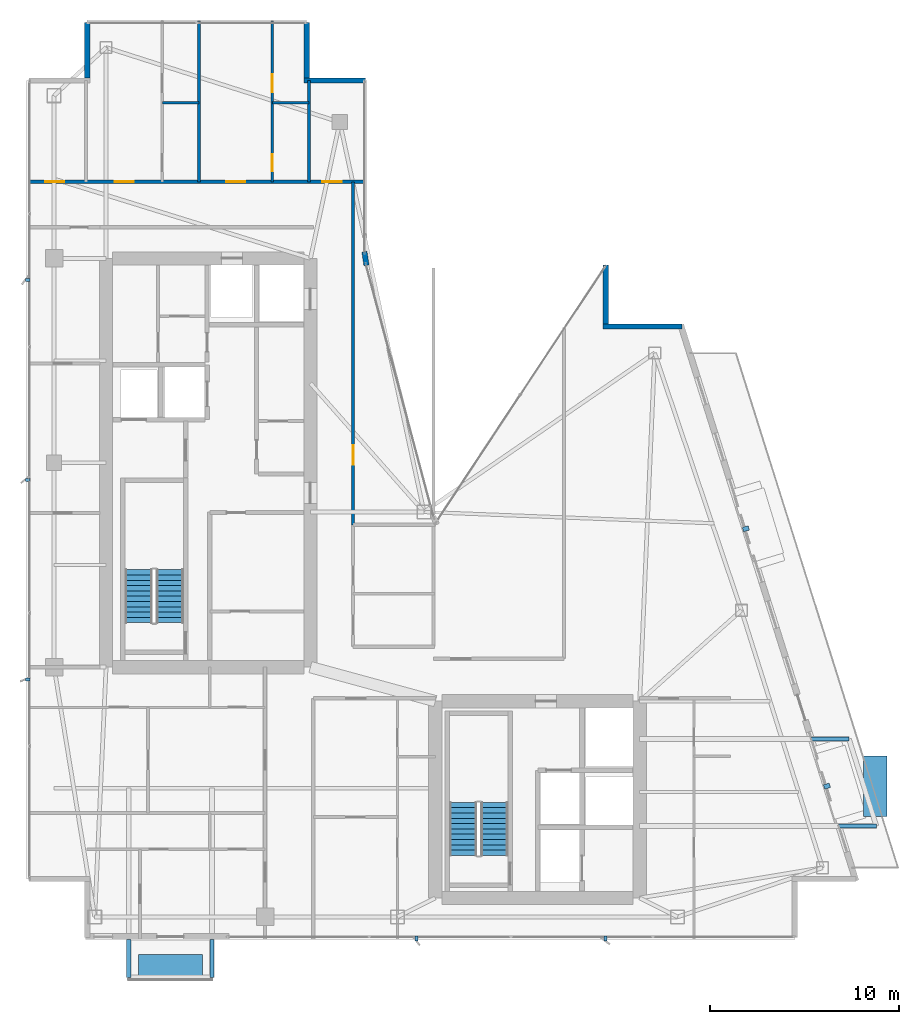
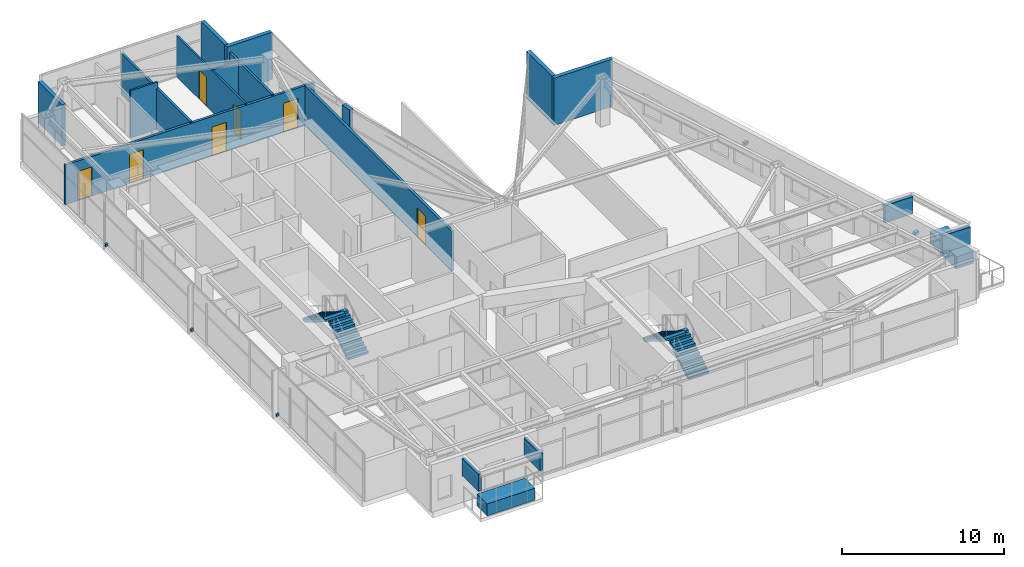
# One storey, part 26 of 28: 13 discrete accessories, 13 walls, 7 doors, 4 stair flights, 7 openings, 2 elements without a shape of their own.
"""IFC4 building model written with IfcOpenShell, lengths in metres."""

from ifc_helpers import new_model, si_unit, direction, frame, frame_2d, origin, origin_2d, place, context, subcontext, project, spatial, polyline, rectangle, outline, extrude, material, layer, layer_set, type_object, element, fill, aggregate, save


model = new_model("IFC4")

# Units and contexts
model_context = context("Model", 3, precision=1e-05, world=origin(), true_north=direction((0.0, 1.0)))
body_context = subcontext(model_context, "Body", "Model", "MODEL_VIEW")
ifc_project = project(units=[si_unit("LENGTHUNIT", "METRE"), si_unit("AREAUNIT", "SQUARE_METRE"), si_unit("VOLUMEUNIT", "CUBIC_METRE"), si_unit("PLANEANGLEUNIT", "RADIAN"), si_unit("MASSUNIT", "GRAM", prefix="KILO")], contexts=[model_context])

# Site, building, storey
site_placement = place(None, origin())
site = spatial("IfcSite", under=ifc_project, at=site_placement, CompositionType="ELEMENT")
building_placement = place(site_placement, origin())
building = spatial("IfcBuilding", under=site, at=building_placement, Name="Calvorn Quay Hotel", CompositionType="ELEMENT")
storey_placement = place(building_placement, frame((0.0, 0.0, 263.5)))
storey = spatial("IfcBuildingStorey", under=building, at=storey_placement, Name="L65", CompositionType="ELEMENT", Elevation=263.5)

# Wall, openings, doors
ifc_material_1 = material(Name="Acoustic Fireboard Steel-Stud Partition", Category="steel")
ifc_layer_1 = layer(ifc_material_1, 0.179931640625)
ifc_layer_set_1 = layer_set([ifc_layer_1], Name="WL-CORR-FIRE-180")
wall_type_1 = type_object("IfcWallType", Name="WL-CORR-FIRE-180", PredefinedType="PARTITIONING", material=ifc_layer_set_1)
wall_1_placement = place(storey_placement, frame((0.080078125, 42.449951171875, 0.0), z_axis=(0.0, 0.0, 1.0), x_axis=(1.0, 0.0, 0.0)))
wall_1 = element("IfcWall", 1, at=wall_1_placement, inside=storey, type_object=wall_type_1, Name="Partition Wall L65-WL-CORR-NW-N", PredefinedType="PARTITIONING", context=body_context, shape_type="SweptSolid", body=[
    extrude(rectangle(XDim=17.77001953125, YDim=0.179931640625, at=frame_2d((8.885009765625, 0.0))), origin(), (0.0, 0.0, 1.0), 2.989990234375),
])
opening_1_placement = place(wall_1_placement, frame((0.89990234375, 0.0, 0.0)))
opening_1 = element("IfcOpeningElement", 2, at=opening_1_placement, cuts=wall_1, Name="Opening D-L65-NWW", PredefinedType="OPENING", context=body_context, shape_type="SweptSolid", body=[
    extrude(rectangle(XDim=1.02001953125, YDim=2.199951171875, at=frame_2d((0.510009765625, 1.10009765625))), frame((0.0, 0.099853515625, 0.0), z_axis=(0.0, -1.0, 0.0), x_axis=(1.0, 0.0, 0.0)), (0.0, 0.0, 1.0), 0.199951171875),
])
opening_2_placement = place(wall_1_placement, frame((4.570068359375, 0.0, 0.0)))
opening_2 = element("IfcOpeningElement", 3, at=opening_2_placement, cuts=wall_1, Name="Opening D-L65-U04", PredefinedType="OPENING", context=body_context, shape_type="SweptSolid", body=[
    extrude(rectangle(XDim=1.02001953125, YDim=2.199951171875, at=frame_2d((0.510009765625, 1.10009765625))), frame((0.0, 0.099853515625, 0.0), z_axis=(0.0, -1.0, 0.0), x_axis=(1.0, 0.0, 0.0)), (0.0, 0.0, 1.0), 0.199951171875),
])
opening_3_placement = place(wall_1_placement, frame((10.4599609375, 0.0, 0.0)))
opening_3 = element("IfcOpeningElement", 4, at=opening_3_placement, cuts=wall_1, Name="Opening D-L65-U05", PredefinedType="OPENING", context=body_context, shape_type="SweptSolid", body=[
    extrude(rectangle(XDim=1.02001953125, YDim=2.199951171875, at=frame_2d((0.510009765625, 1.10009765625))), frame((0.0, 0.099853515625, 0.0), z_axis=(0.0, -1.0, 0.0), x_axis=(1.0, 0.0, 0.0)), (0.0, 0.0, 1.0), 0.199951171875),
])
opening_4_placement = place(wall_1_placement, frame((15.550048828125, 0.0, 0.0)))
opening_4 = element("IfcOpeningElement", 5, at=opening_4_placement, cuts=wall_1, Name="Opening D-L65-NWE", PredefinedType="OPENING", context=body_context, shape_type="SweptSolid", body=[
    extrude(rectangle(XDim=1.02001953125, YDim=2.199951171875, at=frame_2d((0.510009765625, 1.10009765625))), frame((0.0, 0.099853515625, 0.0), z_axis=(0.0, -1.0, 0.0), x_axis=(1.0, 0.0, 0.0)), (0.0, 0.0, 1.0), 0.199951171875),
])
ifc_material_2 = material(Name="Solid-Core Walnut Veneer Hotel Fire Door")
door_type_1 = type_object("IfcDoorType", Name="DR-GUEST-ENTRY-1020", OperationType="NOTDEFINED", PredefinedType="DOOR", material=ifc_material_2)
door_1_placement = place(opening_1_placement, origin())
door_1 = element("IfcDoor", 6, at=door_1_placement, inside=storey, type_object=door_type_1, Name="West Corner Study Door (L65)", OperationType="SINGLE_SWING_LEFT", OverallHeight=2.199951171875, OverallWidth=1.02001953125, PredefinedType="DOOR", context=body_context, shape_type="SweptSolid", body=[
    extrude(rectangle(XDim=1.02001953125, YDim=2.199951171875, at=frame_2d((0.510009765625, 1.10009765625))), frame((0.0, 0.02490234375, 0.0), z_axis=(0.0, -1.0, 0.0), x_axis=(1.0, 0.0, 0.0)), (0.0, 0.0, 1.0), 0.050048828125),
])
fill(opening_1, door_1)
door_2_placement = place(opening_2_placement, origin())
door_2 = element("IfcDoor", 7, at=door_2_placement, inside=storey, type_object=door_type_1, Name="North-West Unit Door U04 (L65)", OperationType="SINGLE_SWING_RIGHT", OverallHeight=2.199951171875, OverallWidth=1.02001953125, PredefinedType="DOOR", context=body_context, shape_type="SweptSolid", body=[
    extrude(rectangle(XDim=1.02001953125, YDim=2.199951171875, at=frame_2d((0.510009765625, 1.10009765625))), frame((0.0, 0.02490234375, 0.0), z_axis=(0.0, -1.0, 0.0), x_axis=(1.0, 0.0, 0.0)), (0.0, 0.0, 1.0), 0.050048828125),
])
fill(opening_2, door_2)
door_3_placement = place(opening_3_placement, origin())
door_3 = element("IfcDoor", 8, at=door_3_placement, inside=storey, type_object=door_type_1, Name="North-West Unit Door U05 (L65)", OperationType="SINGLE_SWING_LEFT", OverallHeight=2.199951171875, OverallWidth=1.02001953125, PredefinedType="DOOR", context=body_context, shape_type="SweptSolid", body=[
    extrude(rectangle(XDim=1.02001953125, YDim=2.199951171875, at=frame_2d((0.510009765625, 1.10009765625))), frame((0.0, 0.02490234375, 0.0), z_axis=(0.0, -1.0, 0.0), x_axis=(1.0, 0.0, 0.0)), (0.0, 0.0, 1.0), 0.050048828125),
])
fill(opening_3, door_3)
door_4_placement = place(opening_4_placement, origin())
door_4 = element("IfcDoor", 9, at=door_4_placement, inside=storey, type_object=door_type_1, Name="Inner Court Study Door (L65)", OperationType="SINGLE_SWING_RIGHT", OverallHeight=2.199951171875, OverallWidth=1.02001953125, PredefinedType="DOOR", context=body_context, shape_type="SweptSolid", body=[
    extrude(rectangle(XDim=1.02001953125, YDim=2.199951171875, at=frame_2d((0.510009765625, 1.10009765625))), frame((0.0, 0.02490234375, 0.0), z_axis=(0.0, -1.0, 0.0), x_axis=(1.0, 0.0, 0.0)), (0.0, 0.0, 1.0), 0.050048828125),
])
fill(opening_4, door_4)

# Wall, opening, door
wall_2_placement = place(storey_placement, frame((17.25, 24.300048828125, 0.0), z_axis=(0.0, 0.0, 1.0), x_axis=(0.0, 1.0, 0.0)))
wall_2 = element("IfcWall", 10, at=wall_2_placement, inside=storey, type_object=wall_type_1, Name="Partition Wall L65-WL-NW-CLOSURE-E", PredefinedType="PARTITIONING", context=body_context, shape_type="SweptSolid", body=[
    extrude(rectangle(XDim=18.14990234375, YDim=0.179931640625, at=frame_2d((9.074951171875, 0.0))), origin(), (0.0, 0.0, 1.0), 2.989990234375),
])
opening_5_placement = place(wall_2_placement, frame((3.199951171875, 0.0, 0.0)))
opening_5 = element("IfcOpeningElement", 11, at=opening_5_placement, cuts=wall_2, Name="Opening D-L65-NCU", PredefinedType="OPENING", context=body_context, shape_type="SweptSolid", body=[
    extrude(rectangle(XDim=1.02001953125, YDim=2.199951171875, at=frame_2d((0.510009765625, 1.10009765625))), frame((0.0, 0.099853515625, 0.0), z_axis=(0.0, -1.0, 0.0), x_axis=(1.0, 0.0, 0.0)), (0.0, 0.0, 1.0), 0.199951171875),
])
door_5_placement = place(opening_5_placement, origin())
door_5 = element("IfcDoor", 12, at=door_5_placement, inside=storey, type_object=door_type_1, Name="Inner Court Horizon Study Door (L65)", OperationType="SINGLE_SWING_RIGHT", OverallHeight=2.199951171875, OverallWidth=1.02001953125, PredefinedType="DOOR", context=body_context, shape_type="SweptSolid", body=[
    extrude(rectangle(XDim=1.02001953125, YDim=2.199951171875, at=frame_2d((0.510009765625, 1.10009765625))), frame((0.0, 0.02490234375, 0.0), z_axis=(0.0, -1.0, 0.0), x_axis=(1.0, 0.0, 0.0)), (0.0, 0.0, 1.0), 0.050048828125),
])
fill(opening_5, door_5)

# Walls
ifc_material_3 = material(Name="Moisture-Resistant Tile-Backed Partition")
ifc_layer_2 = layer(ifc_material_3, 0.125)
ifc_layer_set_2 = layer_set([ifc_layer_2], Name="WL-ENSUITE-125")
wall_type_2 = type_object("IfcWallType", Name="WL-ENSUITE-125", PredefinedType="PARTITIONING", material=ifc_layer_set_2)
wall_3_placement = place(storey_placement, frame((7.169921875, 46.6201171875, 0.0), z_axis=(0.0, 0.0, 1.0), x_axis=(1.0, 0.0, 0.0)))
element("IfcWall", 13, at=wall_3_placement, inside=storey, type_object=wall_type_2, Name="Partition Wall L65-WL-U04-BDV", PredefinedType="PARTITIONING", context=body_context, shape_type="SweptSolid", body=[
    extrude(rectangle(XDim=1.93017578125, YDim=0.125, at=frame_2d((0.965087890625, 0.0))), origin(), (0.0, 0.0, 1.0), 3.56005859375),
])
wall_4_placement = place(storey_placement, frame((12.989990234375, 46.6201171875, 0.0), z_axis=(0.0, 0.0, 1.0), x_axis=(1.0, 0.0, 0.0)))
element("IfcWall", 14, at=wall_4_placement, inside=storey, type_object=wall_type_2, Name="Partition Wall L65-WL-U05-BDV", PredefinedType="PARTITIONING", context=body_context, shape_type="SweptSolid", body=[
    extrude(rectangle(XDim=1.929931640625, YDim=0.125, at=frame_2d((0.96484375, 0.0))), origin(), (0.0, 0.0, 1.0), 3.090087890625),
])

# Wall, openings, doors
wall_5_placement = place(storey_placement, frame((12.989990234375, 42.449951171875, 0.0), z_axis=(0.0, 0.0, 1.0), x_axis=(0.0, 1.0, 0.0)))
wall_5 = element("IfcWall", 15, at=wall_5_placement, inside=storey, type_object=wall_type_2, Name="Partition Wall L65-WL-U05-BV", PredefinedType="PARTITIONING", context=body_context, shape_type="SweptSolid", body=[
    extrude(rectangle(XDim=8.489990234375, YDim=0.125, at=frame_2d((4.2451171875, 0.0))), origin(), (0.0, 0.0, 1.0), 3.090087890625),
])
opening_6_placement = place(wall_5_placement, frame((0.550048828125, 0.0, 0.0)))
opening_6 = element("IfcOpeningElement", 16, at=opening_6_placement, cuts=wall_5, Name="Opening D-L65-E05", PredefinedType="OPENING", context=body_context, shape_type="SweptSolid", body=[
    extrude(rectangle(XDim=0.89990234375, YDim=2.14990234375, at=frame_2d((0.449951171875, 1.074951171875))), frame((0.0, 0.072509765625, 0.0), z_axis=(0.0, -1.0, 0.0), x_axis=(1.0, 0.0, 0.0)), (0.0, 0.0, 1.0), 0.14501953125),
])
opening_7_placement = place(wall_5_placement, frame((4.719970703125, 0.0, 0.0)))
opening_7 = element("IfcOpeningElement", 17, at=opening_7_placement, cuts=wall_5, Name="Opening D-L65-S05", PredefinedType="OPENING", context=body_context, shape_type="SweptSolid", body=[
    extrude(rectangle(XDim=0.9599609375, YDim=2.199951171875, at=frame_2d((0.47998046875, 1.10009765625))), frame((0.0, 0.072509765625, 0.0), z_axis=(0.0, -1.0, 0.0), x_axis=(1.0, 0.0, 0.0)), (0.0, 0.0, 1.0), 0.14501953125),
])
ifc_material_4 = material(Name="Moisture-Sealed Timber En-Suite Door", Category="wood")
door_type_2 = type_object("IfcDoorType", Name="DR-ENSUITE-900", OperationType="NOTDEFINED", PredefinedType="DOOR", material=ifc_material_4)
door_6_placement = place(opening_6_placement, origin())
door_6 = element("IfcDoor", 18, at=door_6_placement, inside=storey, type_object=door_type_2, Name="En-Suite Door 05", OperationType="SINGLE_SWING_LEFT", OverallHeight=2.14990234375, OverallWidth=0.89990234375, PredefinedType="DOOR", context=body_context, shape_type="SweptSolid", body=[
    extrude(rectangle(XDim=0.89990234375, YDim=2.14990234375, at=frame_2d((0.449951171875, 1.074951171875))), frame((0.0, 0.02490234375, 0.0), z_axis=(0.0, -1.0, 0.0), x_axis=(1.0, 0.0, 0.0)), (0.0, 0.0, 1.0), 0.050048828125),
])
fill(opening_6, door_6)
ifc_material_5 = material(Name="Solid Timber Internal Suite Door", Category="wood")
door_type_3 = type_object("IfcDoorType", Name="DR-SUITE-INT-960", OperationType="NOTDEFINED", PredefinedType="DOOR", material=ifc_material_5)
door_7_placement = place(opening_7_placement, origin())
door_7 = element("IfcDoor", 19, at=door_7_placement, inside=storey, type_object=door_type_3, Name="Harbour Dining Den Door 05", OperationType="SINGLE_SWING_RIGHT", OverallHeight=2.199951171875, OverallWidth=0.9599609375, PredefinedType="DOOR", context=body_context, shape_type="SweptSolid", body=[
    extrude(rectangle(XDim=0.9599609375, YDim=2.199951171875, at=frame_2d((0.47998046875, 1.10009765625))), frame((0.0, 0.02490234375, 0.0), z_axis=(0.0, -1.0, 0.0), x_axis=(1.0, 0.0, 0.0)), (0.0, 0.0, 1.0), 0.050048828125),
])
fill(opening_7, door_7)

# Walls
ifc_material_6 = material(Name="Concrete C40", Category="concrete")
ifc_layer_3 = layer(ifc_material_6, 0.320068359375)
ifc_layer_set_3 = layer_set([ifc_layer_3], Name="WL-EXT-SPANDREL-320")
wall_type_3 = type_object("IfcWallType", Name="WL-EXT-SPANDREL-320", PredefinedType="SOLIDWALL", material=ifc_layer_set_3)
wall_6_placement = place(storey_placement, frame((17.9619140625, 38.030029296875, 0.0), z_axis=(0.0, 0.0, 1.0), x_axis=(-0.15141125477, 0.988470855377, 0.0)))
element("IfcWall", 20, at=wall_6_placement, inside=storey, type_object=wall_type_3, Name="Inner Court Corner Pier L65-ICJ2", PredefinedType="SOLIDWALL", context=body_context, shape_type="SweptSolid", body=[
    extrude(rectangle(XDim=0.738525390625, YDim=0.280029296875, at=frame_2d((0.369140625, 0.0))), origin(), (0.0, 0.0, 1.0), 3.56005859375),
])
wall_7_placement = place(storey_placement, frame((34.639892578125, 34.800048828125, 0.0), z_axis=(0.0, 0.0, 1.0), x_axis=(-1.0, 0.0, 0.0)))
element("IfcWall", 21, at=wall_7_placement, inside=storey, type_object=wall_type_3, Name="Notched Corner Spandrel L65-NE1", PredefinedType="SOLIDWALL", context=body_context, shape_type="SweptSolid", body=[
    extrude(rectangle(XDim=4.179931640625, YDim=0.280029296875, at=frame_2d((2.08984375, 0.0))), origin(), (0.0, 0.0, 1.0), 3.56005859375),
])
wall_8_placement = place(storey_placement, frame((30.60009765625, 34.93994140625, 0.0), z_axis=(0.0, 0.0, 1.0), x_axis=(0.0, 1.0, 0.0)))
element("IfcWall", 22, at=wall_8_placement, inside=storey, type_object=wall_type_3, Name="Notched Corner Spandrel L65-NE2", PredefinedType="SOLIDWALL", context=body_context, shape_type="SweptSolid", body=[
    extrude(rectangle(XDim=3.10009765625, YDim=0.280029296875, at=frame_2d((1.550048828125, 0.0))), origin(), (0.0, 0.0, 1.0), 3.56005859375),
])
wall_9_placement = place(storey_placement, frame((17.89990234375, 47.800048828125, 0.0), z_axis=(0.0, 0.0, 1.0), x_axis=(-1.0, 0.0, 0.0)))
element("IfcWall", 23, at=wall_9_placement, inside=storey, type_object=wall_type_3, Name="Notched Corner Spandrel L65-NWE1", PredefinedType="SOLIDWALL", context=body_context, shape_type="SweptSolid", body=[
    extrude(rectangle(XDim=3.239990234375, YDim=0.280029296875, at=frame_2d((1.6201171875, 0.0))), origin(), (0.0, 0.0, 1.0), 3.56005859375),
])
wall_10_placement = place(storey_placement, frame((14.800048828125, 47.93994140625, 0.0), z_axis=(0.0, 0.0, 1.0), x_axis=(0.0, 1.0, 0.0)))
element("IfcWall", 24, at=wall_10_placement, inside=storey, type_object=wall_type_3, Name="Notched Corner Spandrel L65-NWE2", PredefinedType="SOLIDWALL", context=body_context, shape_type="SweptSolid", body=[
    extrude(rectangle(XDim=2.93994140625, YDim=0.280029296875, at=frame_2d((1.469970703125, 0.0))), origin(), (0.0, 0.0, 1.0), 3.56005859375),
])
wall_11_placement = place(storey_placement, frame((3.199951171875, 50.8798828125, 0.0), z_axis=(0.0, 0.0, 1.0), x_axis=(0.0, -1.0, 0.0)))
element("IfcWall", 25, at=wall_11_placement, inside=storey, type_object=wall_type_3, Name="Notched Corner Spandrel L65-NW1", PredefinedType="SOLIDWALL", context=body_context, shape_type="SweptSolid", body=[
    extrude(rectangle(XDim=2.93994140625, YDim=0.280029296875, at=frame_2d((1.469970703125, 0.0))), origin(), (0.0, 0.0, 1.0), 3.090087890625),
])
ifc_material_7 = material(Name="Double-Stud Acoustic Gypsum Partition")
ifc_layer_4 = layer(ifc_material_7, 0.159912109375)
ifc_layer_set_4 = layer_set([ifc_layer_4], Name="WL-INTERSUITE-160")
wall_type_4 = type_object("IfcWallType", Name="WL-INTERSUITE-160", PredefinedType="PARTITIONING", material=ifc_layer_set_4)
wall_12_placement = place(storey_placement, frame((14.919921875, 42.449951171875, 0.0), z_axis=(0.0, 0.0, 1.0), x_axis=(0.0, 1.0, 0.0)))
element("IfcWall", 26, at=wall_12_placement, inside=storey, type_object=wall_type_4, Name="Partition Wall L65-WL-NW-DIV-E0", PredefinedType="PARTITIONING", context=body_context, shape_type="SweptSolid", body=[
    extrude(rectangle(XDim=5.35009765625, YDim=0.159912109375, at=frame_2d((2.675048828125, 0.0))), origin(), (0.0, 0.0, 1.0), 3.090087890625),
])
wall_13_placement = place(storey_placement, frame((9.10009765625, 42.449951171875, 0.0), z_axis=(0.0, 0.0, 1.0), x_axis=(0.0, 1.0, 0.0)))
element("IfcWall", 27, at=wall_13_placement, inside=storey, type_object=wall_type_4, Name="Partition Wall L65-WL-NW-DIV-1", PredefinedType="PARTITIONING", context=body_context, shape_type="SweptSolid", body=[
    extrude(rectangle(XDim=8.489990234375, YDim=0.159912109375, at=frame_2d((4.2451171875, 0.0))), origin(), (0.0, 0.0, 1.0), 3.090087890625),
])

# Stair, stair flights
ifc_material_8 = material(Name="Concrete C40", Category="concrete")
stair_type = type_object("IfcStairType", Name="STR-CORE-DOGLEG", PredefinedType="HALF_TURN_STAIR", material=ifc_material_8)
stair_1_placement = place(storey_placement, origin())
stair_1 = element("IfcStair", 28, at=stair_1_placement, inside=storey, type_object=stair_type, Name="L65 ST-W", PredefinedType="HALF_TURN_STAIR")
ifc_material_9 = material(Name="Concrete C40", Category="concrete")
stair_flight_type = type_object("IfcStairFlightType", Name="FLT-CORE-1550", PredefinedType="STRAIGHT", material=ifc_material_9)
stair_flight_1_placement = place(storey_placement, frame((7.574951171875, 19.14990234375, 0.0), z_axis=(0.0, 0.0, 1.0), x_axis=(0.0, 1.0, 0.0)))
stair_flight_1 = element("IfcStairFlight", 29, at=stair_flight_1_placement, type_object=stair_flight_type, Name="ST-W flight 1", NumberOfRisers=11, NumberOfTreads=10, PredefinedType="STRAIGHT", RiserHeight=0.172727273, TreadLength=0.28, context=body_context, shape_type="SweptSolid", body=[
    extrude(outline(polyline([(0.0, 0.0), (0.0, 0.172607421875), (0.280029296875, 0.172607421875), (0.280029296875, 0.345458984375), (0.56005859375, 0.345458984375), (0.56005859375, 0.51806640625), (0.840087890625, 0.51806640625), (0.840087890625, 0.69091796875), (1.1201171875, 0.69091796875), (1.1201171875, 0.863525390625), (1.39990234375, 0.863525390625), (1.39990234375, 1.036376953125), (1.679931640625, 1.036376953125), (1.679931640625, 1.208984375), (1.9599609375, 1.208984375), (1.9599609375, 1.3818359375), (2.239990234375, 1.3818359375), (2.239990234375, 1.554443359375), (2.52001953125, 1.554443359375), (2.52001953125, 1.727294921875), (2.800048828125, 1.727294921875), (2.800048828125, 1.89990234375), (2.800048828125, 1.551025390625), (0.285400390625, 0.0), (0.0, 0.0)])), frame((0.0, 0.72509765625, 0.0), z_axis=(0.0, -1.0, 0.0), x_axis=(1.0, 0.0, 0.0)), (0.0, 0.0, 1.0), 1.449951171875),
])
stair_flight_2_placement = place(storey_placement, frame((5.925048828125, 21.949951171875, 1.89990234375), z_axis=(0.0, 0.0, 1.0), x_axis=(0.0, -1.0, 0.0)))
stair_flight_2 = element("IfcStairFlight", 30, at=stair_flight_2_placement, type_object=stair_flight_type, Name="ST-W flight 2", NumberOfRisers=11, NumberOfTreads=10, PredefinedType="STRAIGHT", RiserHeight=0.172727273, TreadLength=0.28, context=body_context, shape_type="SweptSolid", body=[
    extrude(outline(polyline([(0.0, 0.0), (0.0, 0.172607421875), (0.280029296875, 0.172607421875), (0.280029296875, 0.345458984375), (0.56005859375, 0.345458984375), (0.56005859375, 0.51806640625), (0.840087890625, 0.51806640625), (0.840087890625, 0.69091796875), (1.1201171875, 0.69091796875), (1.1201171875, 0.863525390625), (1.39990234375, 0.863525390625), (1.39990234375, 1.036376953125), (1.679931640625, 1.036376953125), (1.679931640625, 1.208984375), (1.9599609375, 1.208984375), (1.9599609375, 1.3818359375), (2.239990234375, 1.3818359375), (2.239990234375, 1.554443359375), (2.52001953125, 1.554443359375), (2.52001953125, 1.727294921875), (2.800048828125, 1.727294921875), (2.800048828125, 1.89990234375), (2.800048828125, 1.551025390625), (0.285400390625, 0.0), (0.0, 0.0)])), frame((0.0, 0.72509765625, 0.0), z_axis=(0.0, -1.0, 0.0), x_axis=(1.0, 0.0, 0.0)), (0.0, 0.0, 1.0), 1.449951171875),
])
aggregate(stair_1, [stair_flight_1, stair_flight_2])

stair_2_placement = place(storey_placement, origin())
stair_2 = element("IfcStair", 31, at=stair_2_placement, inside=storey, type_object=stair_type, Name="L65 ST-E", PredefinedType="HALF_TURN_STAIR")
stair_flight_3_placement = place(storey_placement, frame((24.72509765625, 6.85009765625, 0.0), z_axis=(0.0, 0.0, 1.0), x_axis=(0.0, 1.0, 0.0)))
stair_flight_3 = element("IfcStairFlight", 32, at=stair_flight_3_placement, type_object=stair_flight_type, Name="ST-E flight 1", NumberOfRisers=11, NumberOfTreads=10, PredefinedType="STRAIGHT", RiserHeight=0.172727273, TreadLength=0.28, context=body_context, shape_type="SweptSolid", body=[
    extrude(outline(polyline([(0.0, 0.0), (0.0, 0.172607421875), (0.280029296875, 0.172607421875), (0.280029296875, 0.345458984375), (0.56005859375, 0.345458984375), (0.56005859375, 0.51806640625), (0.840087890625, 0.51806640625), (0.840087890625, 0.69091796875), (1.1201171875, 0.69091796875), (1.1201171875, 0.863525390625), (1.39990234375, 0.863525390625), (1.39990234375, 1.036376953125), (1.679931640625, 1.036376953125), (1.679931640625, 1.208984375), (1.9599609375, 1.208984375), (1.9599609375, 1.3818359375), (2.239990234375, 1.3818359375), (2.239990234375, 1.554443359375), (2.52001953125, 1.554443359375), (2.52001953125, 1.727294921875), (2.800048828125, 1.727294921875), (2.800048828125, 1.89990234375), (2.800048828125, 1.551025390625), (0.285400390625, 0.0), (0.0, 0.0)])), frame((0.0, 0.72509765625, 0.0), z_axis=(0.0, -1.0, 0.0), x_axis=(1.0, 0.0, 0.0)), (0.0, 0.0, 1.0), 1.449951171875),
])
stair_flight_4_placement = place(storey_placement, frame((23.074951171875, 9.64990234375, 1.89990234375), z_axis=(0.0, 0.0, 1.0), x_axis=(0.0, -1.0, 0.0)))
stair_flight_4 = element("IfcStairFlight", 33, at=stair_flight_4_placement, type_object=stair_flight_type, Name="ST-E flight 2", NumberOfRisers=11, NumberOfTreads=10, PredefinedType="STRAIGHT", RiserHeight=0.172727273, TreadLength=0.28, context=body_context, shape_type="SweptSolid", body=[
    extrude(outline(polyline([(0.0, 0.0), (0.0, 0.172607421875), (0.280029296875, 0.172607421875), (0.280029296875, 0.345458984375), (0.56005859375, 0.345458984375), (0.56005859375, 0.51806640625), (0.840087890625, 0.51806640625), (0.840087890625, 0.69091796875), (1.1201171875, 0.69091796875), (1.1201171875, 0.863525390625), (1.39990234375, 0.863525390625), (1.39990234375, 1.036376953125), (1.679931640625, 1.036376953125), (1.679931640625, 1.208984375), (1.9599609375, 1.208984375), (1.9599609375, 1.3818359375), (2.239990234375, 1.3818359375), (2.239990234375, 1.554443359375), (2.52001953125, 1.554443359375), (2.52001953125, 1.727294921875), (2.800048828125, 1.727294921875), (2.800048828125, 1.89990234375), (2.800048828125, 1.551025390625), (0.285400390625, 0.0), (0.0, 0.0)])), frame((0.0, 0.72509765625, 0.0), z_axis=(0.0, -1.0, 0.0), x_axis=(1.0, 0.0, 0.0)), (0.0, 0.0, 1.0), 1.449951171875),
])
aggregate(stair_2, [stair_flight_3, stair_flight_4])

# Discrete accessories
ifc_material_10 = material(Name="Steel Q355B", Category="steel")
discrete_accessory_type_1 = type_object("IfcDiscreteAccessoryType", Name="ACC-BALC-STRUT", PredefinedType="BRACKET", material=ifc_material_10)
for number, where, z_axis, x_axis, name in (
    (34, (43.9130859375, 8.39990234375, 2.01513671875), (0.0, 0.0, 1.0), (1.0, 0.0, 0.0), "Exterior Balcony Steel Bracket L66-BALC-E-A"),
    (35, (42.462890625, 13.0, 2.01513671875), (0.0, 0.0, 1.0), (1.0, 0.0, 0.0), "Exterior Balcony Steel Bracket L66-BALC-E-B"),
):
    element("IfcDiscreteAccessory", number, at=place(storey_placement, frame(where, z_axis=z_axis, x_axis=x_axis)), inside=storey, type_object=discrete_accessory_type_1, Name=name, PredefinedType="BRACKET", context=body_context, shape_type="SweptSolid", body=[
        extrude(rectangle(XDim=1.989990234375, YDim=0.219970703125, at=origin_2d()), origin(), (0.0, 0.0, 1.0), 1.300048828125),
    ])
for number, where, z_axis, x_axis, name in (
    (36, (5.39990234375, 1.405029296875, 2.01513671875), (0.0, 0.0, 1.0), (1.0, 0.0, 0.0), "Exterior Balcony Steel Bracket L66-BALC-S-A"),
    (37, (9.800048828125, 1.405029296875, 2.01513671875), (0.0, 0.0, 1.0), (1.0, 0.0, 0.0), "Exterior Balcony Steel Bracket L66-BALC-S-B"),
):
    element("IfcDiscreteAccessory", number, at=place(storey_placement, frame(where, z_axis=z_axis, x_axis=x_axis)), inside=storey, type_object=discrete_accessory_type_1, Name=name, PredefinedType="BRACKET", context=body_context, shape_type="SweptSolid", body=[
        extrude(rectangle(XDim=0.219970703125, YDim=1.989990234375, at=origin_2d()), origin(), (0.0, 0.0, 1.0), 1.300048828125),
    ])
ifc_material_11 = material(Name="Steel Q355B", Category="steel")
discrete_accessory_type_2 = type_object("IfcDiscreteAccessoryType", Name="ACC-FIN-BRACKET", PredefinedType="BRACKET", material=ifc_material_11)
for number, where, z_axis, x_axis, name in (
    (38, (0.06005859375, 16.14990234375, 0.0302734375), (0.0, 0.0, 1.0), (1.0, 0.0, 0.0), "Fin Anchor Bracket L65-W01"),
    (39, (0.06005859375, 26.699951171875, 0.0302734375), (0.0, 0.0, 1.0), (1.0, 0.0, 0.0), "Fin Anchor Bracket L65-W02"),
    (40, (0.06005859375, 37.25, 0.0302734375), (0.0, 0.0, 1.0), (1.0, 0.0, 0.0), "Fin Anchor Bracket L65-W03"),
    (41, (20.60009765625, 2.4599609375, 0.0302734375), (0.0, 0.0, 1.0), (0.0, 1.0, 0.0), "Fin Anchor Bracket L65-S01"),
    (42, (30.60009765625, 2.4599609375, 0.0302734375), (0.0, 0.0, 1.0), (0.0, 1.0, 0.0), "Fin Anchor Bracket L65-S02"),
):
    element("IfcDiscreteAccessory", number, at=place(storey_placement, frame(where, z_axis=z_axis, x_axis=x_axis)), inside=storey, type_object=discrete_accessory_type_2, Name=name, PredefinedType="BRACKET", context=body_context, shape_type="SweptSolid", body=[
        extrude(rectangle(XDim=0.239990234375, YDim=0.159912109375, at=origin_2d()), origin(), (0.0, 0.0, 1.0), 0.179931640625),
    ])
for number, where, z_axis, x_axis, name in (
    (43, (42.294921875, 10.511962890625, 2.3701171875), (0.0, 0.0, 1.0), (0.957319497532, 0.289031796944, 0.0), "Bay Hood Support Bracket L65-HOOD-1"),
    (44, (38.010009765625, 24.112060546875, 2.3701171875), (0.0, 0.0, 1.0), (0.957319497532, 0.289031796944, 0.0), "Bay Hood Support Bracket L65-HOOD-3"),
):
    element("IfcDiscreteAccessory", number, at=place(storey_placement, frame(where, z_axis=z_axis, x_axis=x_axis)), inside=storey, type_object=discrete_accessory_type_2, Name=name, PredefinedType="BRACKET", context=body_context, shape_type="SweptSolid", body=[
        extrude(rectangle(XDim=0.320068359375, YDim=0.239990234375, at=origin_2d()), origin(), (0.0, 0.0, 1.0), 0.199951171875),
    ])
ifc_material_12 = material(Name="Precast concrete C40", Category="concrete")
discrete_accessory_type_3 = type_object("IfcDiscreteAccessoryType", Name="ACC-TREE-PLANTER", PredefinedType="USERDEFINED", material=ifc_material_12)
discrete_accessory_1_placement = place(storey_placement, frame((7.60009765625, 0.989990234375, 0.0), z_axis=(0.0, 0.0, 1.0), x_axis=(1.0, 0.0, 0.0)))
element("IfcDiscreteAccessory", 45, at=discrete_accessory_1_placement, inside=storey, type_object=discrete_accessory_type_3, Name="Subtropical Tree Structural Planter L65-BALC-S", ObjectType="PLANTER", PredefinedType="USERDEFINED", context=body_context, shape_type="SweptSolid", body=[
    extrude(rectangle(XDim=3.39990234375, YDim=1.25, at=origin_2d()), origin(), (0.0, 0.0, 1.0), 0.89990234375),
])
discrete_accessory_2_placement = place(storey_placement, frame((44.845947265625, 10.5, 0.0), z_axis=(0.0, 0.0, 1.0), x_axis=(1.0, 0.0, 0.0)))
element("IfcDiscreteAccessory", 46, at=discrete_accessory_2_placement, inside=storey, type_object=discrete_accessory_type_3, Name="Sawtooth Terrace Tree Planter (L65)", ObjectType="PLANTER", PredefinedType="USERDEFINED", context=body_context, shape_type="SweptSolid", body=[
    extrude(rectangle(XDim=1.25, YDim=3.199951171875, at=origin_2d()), origin(), (0.0, 0.0, 1.0), 0.89990234375),
])

save(model, "model.ifc")
